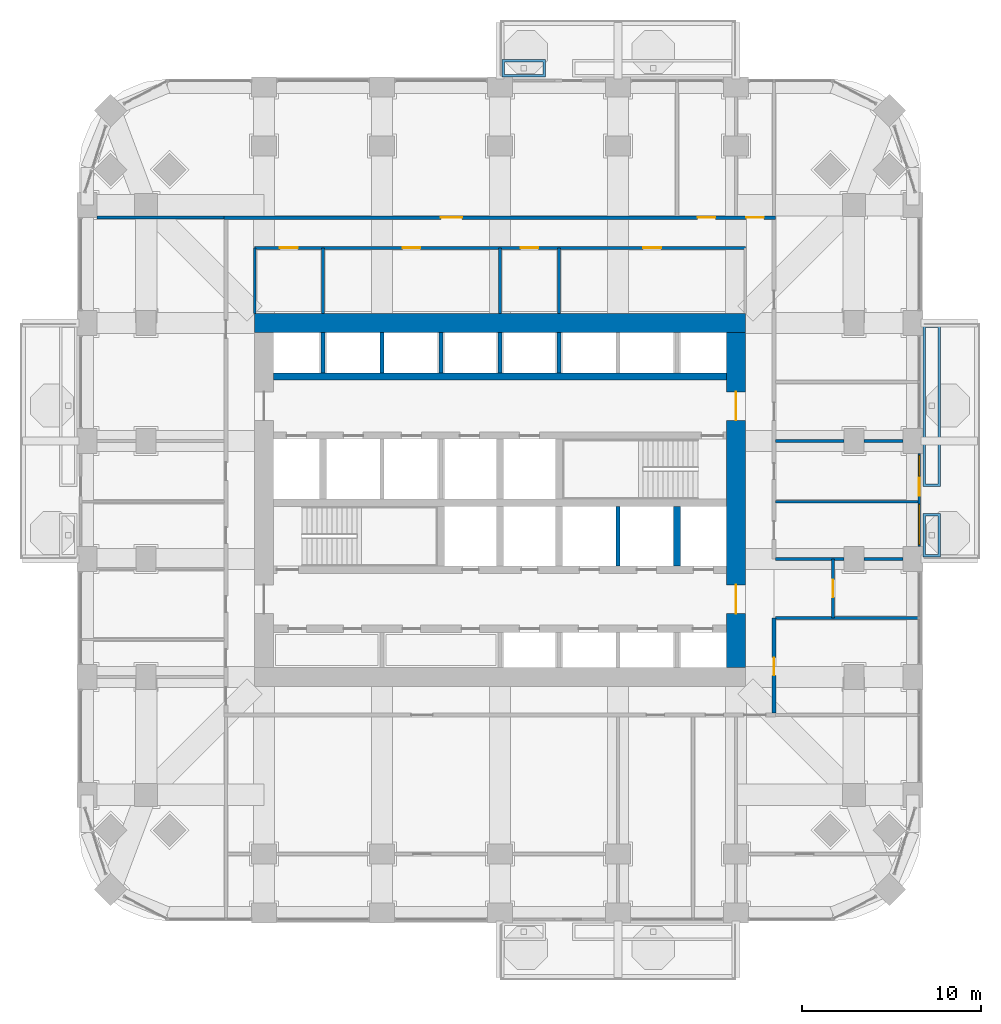
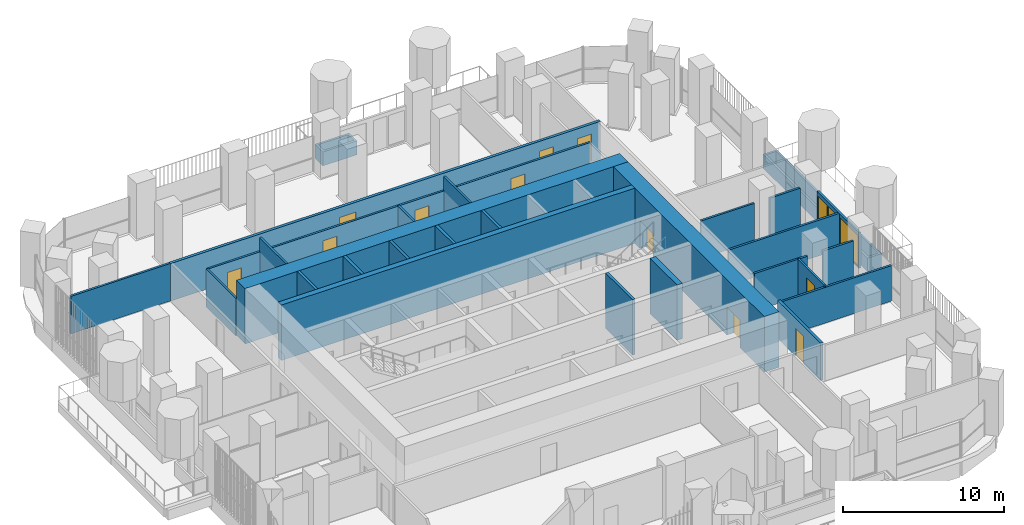
# One storey, part 16 of 22: 29 walls, 12 doors, 2 windows, 14 openings.
"""IFC4 building model written with IfcOpenShell, lengths in metres."""

from ifc_helpers import new_model, si_unit, direction, frame, frame_2d, origin, place, context, subcontext, project, spatial, polyline, rectangle, outline, extrude, material, layer, layer_set, type_object, element, fill, save


model = new_model("IFC4")

# Units and contexts
model_context = context("Model", 3, precision=1e-05, world=origin(), true_north=direction((0.0, 1.0)))
body_context = subcontext(model_context, "Body", "Model", "MODEL_VIEW")
ifc_project = project(units=[si_unit("LENGTHUNIT", "METRE"), si_unit("AREAUNIT", "SQUARE_METRE"), si_unit("VOLUMEUNIT", "CUBIC_METRE"), si_unit("PLANEANGLEUNIT", "RADIAN"), si_unit("MASSUNIT", "GRAM", prefix="KILO")], contexts=[model_context])

# Site, building, storey
site_placement = place(None, origin())
site = spatial("IfcSite", under=ifc_project, at=site_placement, CompositionType="ELEMENT")
building_placement = place(site_placement, origin())
building = spatial("IfcBuilding", under=site, at=building_placement, Name="Cobogo Forest Laboratory Tower", CompositionType="ELEMENT")
storey_placement = place(building_placement, frame((0.0, 0.0, 120.0)))
storey = spatial("IfcBuildingStorey", under=building, at=storey_placement, Name="L27", CompositionType="ELEMENT", Elevation=120.0)

# Walls
ifc_material_1 = material(Name="Concrete HA-50 (C50/60)", Category="concrete")
ifc_layer_1 = layer(ifc_material_1, 0.39990234375)
ifc_layer_set_1 = layer_set([ifc_layer_1], Name="CI400 core inner wall 400")
wall_type_1 = type_object("IfcWallType", Name="CI400 core inner wall 400", PredefinedType="SHEAR", material=ifc_layer_set_1)
wall_1_placement = place(storey_placement, frame((13.72509765625, 30.0, 0.0), z_axis=(0.0, 0.0, 1.0), x_axis=(1.0, 0.0, 0.0)))
element("IfcWall", 1, at=wall_1_placement, inside=storey, type_object=wall_type_1, Name="Core wall CI-30.0 L27", PredefinedType="SHEAR", context=body_context, shape_type="SweptSolid", body=[
    extrude(rectangle(XDim=25.349853515625, YDim=0.39990234375, at=frame_2d((12.6748046875, 0.0))), origin(), (0.0, 0.0, 1.0), 4.199951171875),
])
wall_2_placement = place(storey_placement, frame((36.300048828125, 19.39990234375, 0.0), z_axis=(0.0, 0.0, 1.0), x_axis=(0.0, 1.0, 0.0)))
element("IfcWall", 2, at=wall_2_placement, inside=storey, type_object=wall_type_1, Name="Core wall CX-36.3 L27", PredefinedType="SHEAR", context=body_context, shape_type="SweptSolid", body=[
    extrude(rectangle(XDim=3.35009765625, YDim=0.39990234375, at=frame_2d((1.675048828125, 0.0))), origin(), (0.0, 0.0, 1.0), 4.199951171875),
])

# Wall, openings, doors
ifc_layer_2 = layer(ifc_material_1, 1.050048828125)
ifc_layer_set_2 = layer_set([ifc_layer_2], Name="CW1050 core outer wall 1050")
wall_type_2 = type_object("IfcWallType", Name="CW1050 core outer wall 1050", PredefinedType="SHEAR", material=ifc_layer_set_2)
wall_3_placement = place(storey_placement, frame((39.60009765625, 13.72509765625, 0.0), z_axis=(0.0, 0.0, 1.0), x_axis=(0.0, 1.0, 0.0)))
wall_3 = element("IfcWall", 3, at=wall_3_placement, inside=storey, type_object=wall_type_2, Name="Core wall CO-E L27", PredefinedType="SHEAR", context=body_context, shape_type="SweptSolid", body=[
    extrude(rectangle(XDim=18.75, YDim=1.050048828125, at=frame_2d((9.375, 0.0))), origin(), (0.0, 0.0, 1.0), 4.199951171875),
])
opening_1_placement = place(wall_3_placement, frame((3.02490234375, 0.0, 0.0)))
opening_1 = element("IfcOpeningElement", 4, at=opening_1_placement, cuts=wall_3, Name="Opening L27-D17", PredefinedType="OPENING", context=body_context, shape_type="SweptSolid", body=[
    extrude(rectangle(XDim=1.60009765625, YDim=2.10009765625, at=frame_2d((0.800048828125, 1.050048828125))), frame((0.0, 0.534912109375, 0.0), z_axis=(0.0, -1.0, 0.0), x_axis=(1.0, 0.0, 0.0)), (0.0, 0.0, 1.0), 1.070068359375),
])
opening_2_placement = place(wall_3_placement, frame((13.824951171875, 0.0, 0.0)))
opening_2 = element("IfcOpeningElement", 5, at=opening_2_placement, cuts=wall_3, Name="Opening L27-D31", PredefinedType="OPENING", context=body_context, shape_type="SweptSolid", body=[
    extrude(rectangle(XDim=1.60009765625, YDim=2.10009765625, at=frame_2d((0.800048828125, 1.050048828125))), frame((0.0, 0.534912109375, 0.0), z_axis=(0.0, -1.0, 0.0), x_axis=(1.0, 0.0, 0.0)), (0.0, 0.0, 1.0), 1.070068359375),
])
ifc_material_2 = material(Name="Steel fire door", Category="steel")
door_type_1 = type_object("IfcDoorType", Name="DS2 protected lobby door pair 1600 EI2 60", OperationType="DOUBLE_DOOR_DOUBLE_SWING", PredefinedType="DOOR", material=ifc_material_2)
door_1_placement = place(opening_1_placement, origin())
door_1 = element("IfcDoor", 6, at=door_1_placement, inside=storey, type_object=door_type_1, Name="Door L27-CO-E-S", OperationType="DOUBLE_DOOR_DOUBLE_SWING", OverallHeight=2.10009765625, OverallWidth=1.60009765625, PredefinedType="DOOR", context=body_context, shape_type="SweptSolid", body=[
    extrude(rectangle(XDim=1.60009765625, YDim=2.10009765625, at=frame_2d((0.800048828125, 1.050048828125))), frame((0.0, 0.02490234375, 0.0), z_axis=(0.0, -1.0, 0.0), x_axis=(1.0, 0.0, 0.0)), (0.0, 0.0, 1.0), 0.050048828125),
])
fill(opening_1, door_1)
door_2_placement = place(opening_2_placement, origin())
door_2 = element("IfcDoor", 7, at=door_2_placement, inside=storey, type_object=door_type_1, Name="Door L27-CO-E-N", OperationType="DOUBLE_DOOR_DOUBLE_SWING", OverallHeight=2.10009765625, OverallWidth=1.60009765625, PredefinedType="DOOR", context=body_context, shape_type="SweptSolid", body=[
    extrude(rectangle(XDim=1.60009765625, YDim=2.10009765625, at=frame_2d((0.800048828125, 1.050048828125))), frame((0.0, 0.02490234375, 0.0), z_axis=(0.0, -1.0, 0.0), x_axis=(1.0, 0.0, 0.0)), (0.0, 0.0, 1.0), 0.050048828125),
])
fill(opening_2, door_2)

# Wall
wall_4_placement = place(storey_placement, frame((40.125, 33.0, 0.0), z_axis=(0.0, 0.0, 1.0), x_axis=(-1.0, 0.0, 0.0)))
element("IfcWall", 8, at=wall_4_placement, inside=storey, type_object=wall_type_2, Name="Core wall CO-N L27", PredefinedType="SHEAR", context=body_context, shape_type="SweptSolid", body=[
    extrude(rectangle(XDim=27.449951171875, YDim=1.050048828125, at=frame_2d((13.72509765625, 0.0))), origin(), (0.0, 0.0, 1.0), 4.199951171875),
])

# Wall, openings, door, windows
ifc_material_3 = material(Name="Aluminium framed glazed screen", Category="aluminium")
ifc_layer_3 = layer(ifc_material_3, 0.14990234375)
ifc_layer_set_3 = layer_set([ifc_layer_3], Name="GS1 glazed door screen 150")
wall_type_3 = type_object("IfcWallType", Name="GS1 glazed door screen 150", PredefinedType="SOLIDWALL", material=ifc_layer_set_3)
wall_5_placement = place(storey_placement, frame((49.85009765625, 20.5, 0.0), z_axis=(0.0, 0.0, 1.0), x_axis=(0.0, 1.0, 0.0)))
wall_5 = element("IfcWall", 9, at=wall_5_placement, inside=storey, type_object=wall_type_3, Name="Door screen BAL-E1 L27", PredefinedType="SOLIDWALL", context=body_context, shape_type="SweptSolid", body=[
    extrude(rectangle(XDim=5.199951171875, YDim=0.14990234375, at=frame_2d((2.60009765625, 0.0))), origin(), (0.0, 0.0, 1.0), 2.699951171875),
])
opening_3_placement = place(wall_5_placement, frame((2.85009765625, 0.0, 0.0)))
opening_3 = element("IfcOpeningElement", 10, at=opening_3_placement, cuts=wall_5, Name="Opening L27-D25", PredefinedType="OPENING", context=body_context, shape_type="SweptSolid", body=[
    extrude(rectangle(XDim=1.0, YDim=2.39990234375, at=frame_2d((0.5, 1.199951171875))), frame((0.0, 0.0849609375, 0.0), z_axis=(0.0, -1.0, 0.0), x_axis=(1.0, 0.0, 0.0)), (0.0, 0.0, 1.0), 0.169921875),
])
opening_4_placement = place(wall_5_placement, frame((0.10009765625, 0.0, 0.10009765625)))
opening_4 = element("IfcOpeningElement", 11, at=opening_4_placement, cuts=wall_5, Name="Opening L27-W04", PredefinedType="OPENING", context=body_context, shape_type="SweptSolid", body=[
    extrude(rectangle(XDim=2.25, YDim=2.300048828125, at=frame_2d((1.125, 1.14990234375))), frame((0.0, 0.0849609375, 0.0), z_axis=(0.0, -1.0, 0.0), x_axis=(1.0, 0.0, 0.0)), (0.0, 0.0, 1.0), 0.169921875),
])
opening_5_placement = place(wall_5_placement, frame((3.949951171875, 0.0, 0.10009765625)))
opening_5 = element("IfcOpeningElement", 12, at=opening_5_placement, cuts=wall_5, Name="Opening L27-W06", PredefinedType="OPENING", context=body_context, shape_type="SweptSolid", body=[
    extrude(rectangle(XDim=1.14990234375, YDim=2.300048828125, at=frame_2d((0.574951171875, 1.14990234375))), frame((0.0, 0.0849609375, 0.0), z_axis=(0.0, -1.0, 0.0), x_axis=(1.0, 0.0, 0.0)), (0.0, 0.0, 1.0), 0.169921875),
])
ifc_material_4 = material(Name="Aluminium glazed door", Category="aluminium")
door_type_2 = type_object("IfcDoorType", Name="DB1 balcony door 1000 glazed", OperationType="SINGLE_SWING_LEFT", PredefinedType="DOOR", material=ifc_material_4)
door_3_placement = place(opening_3_placement, origin())
door_3 = element("IfcDoor", 13, at=door_3_placement, inside=storey, type_object=door_type_2, Name="Door L27-BAL-E1", OperationType="SINGLE_SWING_RIGHT", OverallHeight=2.39990234375, OverallWidth=1.0, PredefinedType="DOOR", context=body_context, shape_type="SweptSolid", body=[
    extrude(rectangle(XDim=1.0, YDim=2.39990234375, at=frame_2d((0.5, 1.199951171875))), frame((0.0, 0.02490234375, 0.0), z_axis=(0.0, -1.0, 0.0), x_axis=(1.0, 0.0, 0.0)), (0.0, 0.0, 1.0), 0.050048828125),
])
fill(opening_3, door_3)
ifc_material_5 = material(Name="Aluminium framed glazing", Category="aluminium")
window_type_1 = type_object("IfcWindowType", Name="WG15 fixed glazed light 2250x2300", PartitioningType="SINGLE_PANEL", PredefinedType="WINDOW", material=ifc_material_5)
window_1_placement = place(opening_4_placement, origin())
window_1 = element("IfcWindow", 14, at=window_1_placement, inside=storey, type_object=window_type_1, Name="Window L27-BAL-E1-1", OverallHeight=2.300048828125, OverallWidth=2.25, PartitioningType="SINGLE_PANEL", PredefinedType="WINDOW", context=body_context, shape_type="SweptSolid", body=[
    extrude(rectangle(XDim=2.25, YDim=2.300048828125, at=frame_2d((1.125, 1.14990234375))), frame((0.0, 0.030029296875, 0.0), z_axis=(0.0, -1.0, 0.0), x_axis=(1.0, 0.0, 0.0)), (0.0, 0.0, 1.0), 0.06005859375),
])
fill(opening_4, window_1)
window_type_2 = type_object("IfcWindowType", Name="WG16 fixed glazed light 1150x2300", PartitioningType="SINGLE_PANEL", PredefinedType="WINDOW", material=ifc_material_5)
window_2_placement = place(opening_5_placement, origin())
window_2 = element("IfcWindow", 15, at=window_2_placement, inside=storey, type_object=window_type_2, Name="Window L27-BAL-E1-2", OverallHeight=2.300048828125, OverallWidth=1.14990234375, PartitioningType="SINGLE_PANEL", PredefinedType="WINDOW", context=body_context, shape_type="SweptSolid", body=[
    extrude(rectangle(XDim=1.14990234375, YDim=2.300048828125, at=frame_2d((0.574951171875, 1.14990234375))), frame((0.0, 0.030029296875, 0.0), z_axis=(0.0, -1.0, 0.0), x_axis=(1.0, 0.0, 0.0)), (0.0, 0.0, 1.0), 0.06005859375),
])
fill(opening_5, window_2)

# Wall, openings, doors
ifc_material_6 = material(Name="Gypsum board on steel studs", Category="steel")
ifc_layer_4 = layer(ifc_material_6, 0.14990234375)
ifc_layer_set_4 = layer_set([ifc_layer_4], Name="PT1 laboratory partition 150")
wall_type_4 = type_object("IfcWallType", Name="PT1 laboratory partition 150", PredefinedType="PARTITIONING", material=ifc_layer_set_4)
wall_6_placement = place(storey_placement, frame((12.675048828125, 37.199951171875, 0.0), z_axis=(0.0, 0.0, 1.0), x_axis=(1.0, 0.0, 0.0)))
wall_6 = element("IfcWall", 16, at=wall_6_placement, inside=storey, type_object=wall_type_4, Name="Partition CSTRIP-N L27", PredefinedType="PARTITIONING", context=body_context, shape_type="SweptSolid", body=[
    extrude(rectangle(XDim=27.449951171875, YDim=0.14990234375, at=frame_2d((13.72509765625, 0.0))), origin(), (0.0, 0.0, 1.0), 2.85009765625),
])
opening_6_placement = place(wall_6_placement, frame((1.41259765625, 0.0, 0.0)))
opening_6 = element("IfcOpeningElement", 17, at=opening_6_placement, cuts=wall_6, Name="Opening L27-D34", PredefinedType="OPENING", context=body_context, shape_type="SweptSolid", body=[
    extrude(rectangle(XDim=1.0, YDim=2.10009765625, at=frame_2d((0.5, 1.050048828125))), frame((0.0, 0.0849609375, 0.0), z_axis=(0.0, -1.0, 0.0), x_axis=(1.0, 0.0, 0.0)), (0.0, 0.0, 1.0), 0.169921875),
])
opening_7_placement = place(wall_6_placement, frame((8.27490234375, 0.0, 0.0)))
opening_7 = element("IfcOpeningElement", 18, at=opening_7_placement, cuts=wall_6, Name="Opening L27-D35", PredefinedType="OPENING", context=body_context, shape_type="SweptSolid", body=[
    extrude(rectangle(XDim=1.0, YDim=2.10009765625, at=frame_2d((0.5, 1.050048828125))), frame((0.0, 0.0849609375, 0.0), z_axis=(0.0, -1.0, 0.0), x_axis=(1.0, 0.0, 0.0)), (0.0, 0.0, 1.0), 0.169921875),
])
opening_8_placement = place(wall_6_placement, frame((14.875, 0.0, 0.0)))
opening_8 = element("IfcOpeningElement", 19, at=opening_8_placement, cuts=wall_6, Name="Opening L27-D36", PredefinedType="OPENING", context=body_context, shape_type="SweptSolid", body=[
    extrude(rectangle(XDim=1.0, YDim=2.10009765625, at=frame_2d((0.5, 1.050048828125))), frame((0.0, 0.0849609375, 0.0), z_axis=(0.0, -1.0, 0.0), x_axis=(1.0, 0.0, 0.0)), (0.0, 0.0, 1.0), 0.169921875),
])
opening_9_placement = place(wall_6_placement, frame((21.737548828125, 0.0, 0.0)))
opening_9 = element("IfcOpeningElement", 20, at=opening_9_placement, cuts=wall_6, Name="Opening L27-D37", PredefinedType="OPENING", context=body_context, shape_type="SweptSolid", body=[
    extrude(rectangle(XDim=1.0, YDim=2.10009765625, at=frame_2d((0.5, 1.050048828125))), frame((0.0, 0.0849609375, 0.0), z_axis=(0.0, -1.0, 0.0), x_axis=(1.0, 0.0, 0.0)), (0.0, 0.0, 1.0), 0.169921875),
])
ifc_material_7 = material(Name="Timber fire door", Category="wood")
door_type_3 = type_object("IfcDoorType", Name="FD2 fire door 1000 EI2 30", OperationType="SINGLE_SWING_LEFT", PredefinedType="DOOR", material=ifc_material_7)
door_4_placement = place(opening_6_placement, origin())
door_4 = element("IfcDoor", 21, at=door_4_placement, inside=storey, type_object=door_type_3, Name="Door L27-CSN1", OperationType="SINGLE_SWING_LEFT", OverallHeight=2.10009765625, OverallWidth=1.0, PredefinedType="DOOR", context=body_context, shape_type="SweptSolid", body=[
    extrude(rectangle(XDim=1.0, YDim=2.10009765625, at=frame_2d((0.5, 1.050048828125))), frame((0.0, 0.02490234375, 0.0), z_axis=(0.0, -1.0, 0.0), x_axis=(1.0, 0.0, 0.0)), (0.0, 0.0, 1.0), 0.050048828125),
])
fill(opening_6, door_4)
door_5_placement = place(opening_7_placement, origin())
door_5 = element("IfcDoor", 22, at=door_5_placement, inside=storey, type_object=door_type_3, Name="Door L27-CSN2", OperationType="SINGLE_SWING_LEFT", OverallHeight=2.10009765625, OverallWidth=1.0, PredefinedType="DOOR", context=body_context, shape_type="SweptSolid", body=[
    extrude(rectangle(XDim=1.0, YDim=2.10009765625, at=frame_2d((0.5, 1.050048828125))), frame((0.0, 0.02490234375, 0.0), z_axis=(0.0, -1.0, 0.0), x_axis=(1.0, 0.0, 0.0)), (0.0, 0.0, 1.0), 0.050048828125),
])
fill(opening_7, door_5)
door_6_placement = place(opening_8_placement, origin())
door_6 = element("IfcDoor", 23, at=door_6_placement, inside=storey, type_object=door_type_3, Name="Door L27-CSN3", OperationType="SINGLE_SWING_RIGHT", OverallHeight=2.10009765625, OverallWidth=1.0, PredefinedType="DOOR", context=body_context, shape_type="SweptSolid", body=[
    extrude(rectangle(XDim=1.0, YDim=2.10009765625, at=frame_2d((0.5, 1.050048828125))), frame((0.0, 0.02490234375, 0.0), z_axis=(0.0, -1.0, 0.0), x_axis=(1.0, 0.0, 0.0)), (0.0, 0.0, 1.0), 0.050048828125),
])
fill(opening_8, door_6)
door_7_placement = place(opening_9_placement, origin())
door_7 = element("IfcDoor", 24, at=door_7_placement, inside=storey, type_object=door_type_3, Name="Door L27-CSN4", OperationType="SINGLE_SWING_RIGHT", OverallHeight=2.10009765625, OverallWidth=1.0, PredefinedType="DOOR", context=body_context, shape_type="SweptSolid", body=[
    extrude(rectangle(XDim=1.0, YDim=2.10009765625, at=frame_2d((0.5, 1.050048828125))), frame((0.0, 0.02490234375, 0.0), z_axis=(0.0, -1.0, 0.0), x_axis=(1.0, 0.0, 0.0)), (0.0, 0.0, 1.0), 0.050048828125),
])
fill(opening_9, door_7)

# Walls
wall_7_placement = place(storey_placement, frame((12.675048828125, 33.52490234375, 0.0), z_axis=(0.0, 0.0, 1.0), x_axis=(0.0, 1.0, 0.0)))
element("IfcWall", 25, at=wall_7_placement, inside=storey, type_object=wall_type_4, Name="Partition CSTRIP-NW L27", PredefinedType="PARTITIONING", context=body_context, shape_type="SweptSolid", body=[
    extrude(rectangle(XDim=3.675048828125, YDim=0.14990234375, at=frame_2d((1.83740234375, 0.0))), origin(), (0.0, 0.0, 1.0), 2.85009765625),
])
wall_8_placement = place(storey_placement, frame((16.5, 33.52490234375, 0.0), z_axis=(0.0, 0.0, 1.0), x_axis=(0.0, 1.0, 0.0)))
element("IfcWall", 26, at=wall_8_placement, inside=storey, type_object=wall_type_4, Name="Partition CSTRIP-N16.5 L27", PredefinedType="PARTITIONING", context=body_context, shape_type="SweptSolid", body=[
    extrude(rectangle(XDim=3.675048828125, YDim=0.14990234375, at=frame_2d((1.83740234375, 0.0))), origin(), (0.0, 0.0, 1.0), 3.89990234375),
])
wall_9_placement = place(storey_placement, frame((26.39990234375, 33.52490234375, 0.0), z_axis=(0.0, 0.0, 1.0), x_axis=(0.0, 1.0, 0.0)))
element("IfcWall", 27, at=wall_9_placement, inside=storey, type_object=wall_type_4, Name="Partition CSTRIP-N26.4 L27", PredefinedType="PARTITIONING", context=body_context, shape_type="SweptSolid", body=[
    extrude(rectangle(XDim=3.675048828125, YDim=0.14990234375, at=frame_2d((1.83740234375, 0.0))), origin(), (0.0, 0.0, 1.0), 2.85009765625),
])
wall_10_placement = place(storey_placement, frame((29.699951171875, 33.52490234375, 0.0), z_axis=(0.0, 0.0, 1.0), x_axis=(0.0, 1.0, 0.0)))
element("IfcWall", 28, at=wall_10_placement, inside=storey, type_object=wall_type_4, Name="Partition CSTRIP-N29.7 L27", PredefinedType="PARTITIONING", context=body_context, shape_type="SweptSolid", body=[
    extrude(rectangle(XDim=3.675048828125, YDim=0.14990234375, at=frame_2d((1.83740234375, 0.0))), origin(), (0.0, 0.0, 1.0), 3.89990234375),
])
wall_11_placement = place(storey_placement, frame((3.85009765625, 38.89990234375, 0.0), z_axis=(0.0, 0.0, 1.0), x_axis=(1.0, 0.0, 0.0)))
element("IfcWall", 29, at=wall_11_placement, inside=storey, type_object=wall_type_4, Name="Partition PW-NW L27", PredefinedType="PARTITIONING", context=body_context, shape_type="SweptSolid", body=[
    extrude(rectangle(XDim=7.125, YDim=0.14990234375, at=frame_2d((3.5625, 0.0))), origin(), (0.0, 0.0, 1.0), 2.85009765625),
])

# Wall, opening, door
wall_12_placement = place(storey_placement, frame((45.02490234375, 16.5, 0.0), z_axis=(0.0, 0.0, 1.0), x_axis=(0.0, 1.0, 0.0)))
wall_12 = element("IfcWall", 30, at=wall_12_placement, inside=storey, type_object=wall_type_4, Name="Partition NODE-E-1 L27", PredefinedType="PARTITIONING", context=body_context, shape_type="SweptSolid", body=[
    extrude(rectangle(XDim=3.300048828125, YDim=0.14990234375, at=frame_2d((1.64990234375, 0.0))), origin(), (0.0, 0.0, 1.0), 2.85009765625),
])
opening_10_placement = place(wall_12_placement, frame((1.14990234375, 0.0, 0.0)))
opening_10 = element("IfcOpeningElement", 31, at=opening_10_placement, cuts=wall_12, Name="Opening L27-D18", PredefinedType="OPENING", context=body_context, shape_type="SweptSolid", body=[
    extrude(rectangle(XDim=1.0, YDim=2.10009765625, at=frame_2d((0.5, 1.050048828125))), frame((0.0, 0.0849609375, 0.0), z_axis=(0.0, -1.0, 0.0), x_axis=(1.0, 0.0, 0.0)), (0.0, 0.0, 1.0), 0.169921875),
])
door_8_placement = place(opening_10_placement, origin())
door_8 = element("IfcDoor", 32, at=door_8_placement, inside=storey, type_object=door_type_3, Name="Door L27-E2", OperationType="SINGLE_SWING_LEFT", OverallHeight=2.10009765625, OverallWidth=1.0, PredefinedType="DOOR", context=body_context, shape_type="SweptSolid", body=[
    extrude(rectangle(XDim=1.0, YDim=2.10009765625, at=frame_2d((0.5, 1.050048828125))), frame((0.0, 0.02490234375, 0.0), z_axis=(0.0, -1.0, 0.0), x_axis=(1.0, 0.0, 0.0)), (0.0, 0.0, 1.0), 0.050048828125),
])
fill(opening_10, door_8)

# Walls
wall_13_placement = place(storey_placement, frame((49.77001953125, 23.0, 0.0), z_axis=(0.0, 0.0, 1.0), x_axis=(-1.0, 0.0, 0.0)))
element("IfcWall", 33, at=wall_13_placement, inside=storey, type_object=wall_type_4, Name="Partition SVC-E1-1 L27", PredefinedType="PARTITIONING", context=body_context, shape_type="SweptSolid", body=[
    extrude(rectangle(XDim=7.945068359375, YDim=0.14990234375, at=frame_2d((3.97265625, 0.0))), origin(), (0.0, 0.0, 1.0), 2.699951171875),
])
wall_14_placement = place(storey_placement, frame((48.949951171875, 26.39990234375, 0.0), z_axis=(0.0, 0.0, 1.0), x_axis=(-1.0, 0.0, 0.0)))
element("IfcWall", 34, at=wall_14_placement, inside=storey, type_object=wall_type_4, Name="Partition SVC-E2-1 L27", PredefinedType="PARTITIONING", context=body_context, shape_type="SweptSolid", body=[
    extrude(rectangle(XDim=2.199951171875, YDim=0.14990234375, at=frame_2d((1.10009765625, 0.0))), origin(), (0.0, 0.0, 1.0), 2.85009765625),
])
wall_15_placement = place(storey_placement, frame((45.64990234375, 26.39990234375, 0.0), z_axis=(0.0, 0.0, 1.0), x_axis=(-1.0, 0.0, 0.0)))
element("IfcWall", 35, at=wall_15_placement, inside=storey, type_object=wall_type_4, Name="Partition SVC-E2-2 L27", PredefinedType="PARTITIONING", context=body_context, shape_type="SweptSolid", body=[
    extrude(rectangle(XDim=3.824951171875, YDim=0.14990234375, at=frame_2d((1.91259765625, 0.0))), origin(), (0.0, 0.0, 1.0), 2.85009765625),
])
wall_16_placement = place(storey_placement, frame((49.77001953125, 16.5, 0.0), z_axis=(0.0, 0.0, 1.0), x_axis=(-1.0, 0.0, 0.0)))
element("IfcWall", 36, at=wall_16_placement, inside=storey, type_object=wall_type_4, Name="Partition CUT-E16.5-1 L27", PredefinedType="PARTITIONING", context=body_context, shape_type="SweptSolid", body=[
    extrude(rectangle(XDim=7.945068359375, YDim=0.14990234375, at=frame_2d((3.97265625, 0.0))), origin(), (0.0, 0.0, 1.0), 2.699951171875),
])
wall_17_placement = place(storey_placement, frame((48.949951171875, 19.800048828125, 0.0), z_axis=(0.0, 0.0, 1.0), x_axis=(-1.0, 0.0, 0.0)))
element("IfcWall", 37, at=wall_17_placement, inside=storey, type_object=wall_type_4, Name="Partition CUT-E19.8-1 L27", PredefinedType="PARTITIONING", context=body_context, shape_type="SweptSolid", body=[
    extrude(rectangle(XDim=2.199951171875, YDim=0.14990234375, at=frame_2d((1.10009765625, 0.0))), origin(), (0.0, 0.0, 1.0), 2.85009765625),
])
wall_18_placement = place(storey_placement, frame((45.64990234375, 19.800048828125, 0.0), z_axis=(0.0, 0.0, 1.0), x_axis=(-1.0, 0.0, 0.0)))
element("IfcWall", 38, at=wall_18_placement, inside=storey, type_object=wall_type_4, Name="Partition CUT-E19.8-2 L27", PredefinedType="PARTITIONING", context=body_context, shape_type="SweptSolid", body=[
    extrude(rectangle(XDim=3.824951171875, YDim=0.14990234375, at=frame_2d((1.91259765625, 0.0))), origin(), (0.0, 0.0, 1.0), 2.85009765625),
])

# Wall, openings, doors
ifc_layer_5 = layer(ifc_material_6, 0.199951171875)
ifc_layer_set_5 = layer_set([ifc_layer_5], Name="PT2 fire-rated corridor partition 200")
wall_type_5 = type_object("IfcWallType", Name="PT2 fire-rated corridor partition 200", PredefinedType="PARTITIONING", material=ifc_layer_set_5)
wall_19_placement = place(storey_placement, frame((10.97509765625, 38.89990234375, 0.0), z_axis=(0.0, 0.0, 1.0), x_axis=(1.0, 0.0, 0.0)))
wall_19 = element("IfcWall", 39, at=wall_19_placement, inside=storey, type_object=wall_type_5, Name="Partition CORR-N L27", PredefinedType="PARTITIONING", context=body_context, shape_type="SweptSolid", body=[
    extrude(rectangle(XDim=30.849853515625, YDim=0.199951171875, at=frame_2d((15.4248046875, 0.0))), origin(), (0.0, 0.0, 1.0), 2.85009765625),
])
opening_11_placement = place(wall_19_placement, frame((12.112548828125, 0.0, 0.0)))
opening_11 = element("IfcOpeningElement", 40, at=opening_11_placement, cuts=wall_19, Name="Opening L27-D38", PredefinedType="OPENING", context=body_context, shape_type="SweptSolid", body=[
    extrude(rectangle(XDim=1.199951171875, YDim=2.10009765625, at=frame_2d((0.60009765625, 1.050048828125))), frame((0.0, 0.10986328125, 0.0), z_axis=(0.0, -1.0, 0.0), x_axis=(1.0, 0.0, 0.0)), (0.0, 0.0, 1.0), 0.219970703125),
])
opening_12_placement = place(wall_19_placement, frame((26.47509765625, 0.0, 0.0)))
opening_12 = element("IfcOpeningElement", 41, at=opening_12_placement, cuts=wall_19, Name="Opening L27-D39", PredefinedType="OPENING", context=body_context, shape_type="SweptSolid", body=[
    extrude(rectangle(XDim=1.0, YDim=2.10009765625, at=frame_2d((0.5, 1.050048828125))), frame((0.0, 0.10986328125, 0.0), z_axis=(0.0, -1.0, 0.0), x_axis=(1.0, 0.0, 0.0)), (0.0, 0.0, 1.0), 0.219970703125),
])
opening_13_placement = place(wall_19_placement, frame((29.1875, 0.0, 0.0)))
opening_13 = element("IfcOpeningElement", 42, at=opening_13_placement, cuts=wall_19, Name="Opening L27-D40", PredefinedType="OPENING", context=body_context, shape_type="SweptSolid", body=[
    extrude(rectangle(XDim=1.0, YDim=2.10009765625, at=frame_2d((0.5, 1.050048828125))), frame((0.0, 0.10986328125, 0.0), z_axis=(0.0, -1.0, 0.0), x_axis=(1.0, 0.0, 0.0)), (0.0, 0.0, 1.0), 0.219970703125),
])
ifc_material_8 = material(Name="Timber door", Category="wood")
door_type_4 = type_object("IfcDoorType", Name="D2 laboratory door 1200 unequal pair", OperationType="DOUBLE_DOOR_SINGLE_SWING", PredefinedType="DOOR", material=ifc_material_8)
door_9_placement = place(opening_11_placement, origin())
door_9 = element("IfcDoor", 43, at=door_9_placement, inside=storey, type_object=door_type_4, Name="Door L27-N1", OperationType="DOUBLE_DOOR_SINGLE_SWING", OverallHeight=2.10009765625, OverallWidth=1.199951171875, PredefinedType="DOOR", context=body_context, shape_type="SweptSolid", body=[
    extrude(rectangle(XDim=1.199951171875, YDim=2.10009765625, at=frame_2d((0.60009765625, 1.050048828125))), frame((0.0, 0.02490234375, 0.0), z_axis=(0.0, -1.0, 0.0), x_axis=(1.0, 0.0, 0.0)), (0.0, 0.0, 1.0), 0.050048828125),
])
fill(opening_11, door_9)
door_10_placement = place(opening_12_placement, origin())
door_10 = element("IfcDoor", 44, at=door_10_placement, inside=storey, type_object=door_type_3, Name="Door L27-N2", OperationType="SINGLE_SWING_RIGHT", OverallHeight=2.10009765625, OverallWidth=1.0, PredefinedType="DOOR", context=body_context, shape_type="SweptSolid", body=[
    extrude(rectangle(XDim=1.0, YDim=2.10009765625, at=frame_2d((0.5, 1.050048828125))), frame((0.0, 0.02490234375, 0.0), z_axis=(0.0, -1.0, 0.0), x_axis=(1.0, 0.0, 0.0)), (0.0, 0.0, 1.0), 0.050048828125),
])
fill(opening_12, door_10)
door_11_placement = place(opening_13_placement, origin())
door_11 = element("IfcDoor", 45, at=door_11_placement, inside=storey, type_object=door_type_3, Name="Door L27-N3", OperationType="SINGLE_SWING_RIGHT", OverallHeight=2.10009765625, OverallWidth=1.0, PredefinedType="DOOR", context=body_context, shape_type="SweptSolid", body=[
    extrude(rectangle(XDim=1.0, YDim=2.10009765625, at=frame_2d((0.5, 1.050048828125))), frame((0.0, 0.02490234375, 0.0), z_axis=(0.0, -1.0, 0.0), x_axis=(1.0, 0.0, 0.0)), (0.0, 0.0, 1.0), 0.050048828125),
])
fill(opening_13, door_11)

# Wall, opening, door
wall_20_placement = place(storey_placement, frame((41.72509765625, 11.175048828125, 0.0), z_axis=(0.0, 0.0, 1.0), x_axis=(0.0, 1.0, 0.0)))
wall_20 = element("IfcWall", 46, at=wall_20_placement, inside=storey, type_object=wall_type_5, Name="Partition CORR-E-1 L27", PredefinedType="PARTITIONING", context=body_context, shape_type="SweptSolid", body=[
    extrude(rectangle(XDim=5.324951171875, YDim=0.199951171875, at=frame_2d((2.66259765625, 0.0))), origin(), (0.0, 0.0, 1.0), 2.85009765625),
])
opening_14_placement = place(wall_20_placement, frame((2.112548828125, 0.0, 0.0)))
opening_14 = element("IfcOpeningElement", 47, at=opening_14_placement, cuts=wall_20, Name="Opening L27-D09", PredefinedType="OPENING", context=body_context, shape_type="SweptSolid", body=[
    extrude(rectangle(XDim=1.0, YDim=2.10009765625, at=frame_2d((0.5, 1.050048828125))), frame((0.0, 0.10986328125, 0.0), z_axis=(0.0, -1.0, 0.0), x_axis=(1.0, 0.0, 0.0)), (0.0, 0.0, 1.0), 0.219970703125),
])
door_12_placement = place(opening_14_placement, origin())
door_12 = element("IfcDoor", 48, at=door_12_placement, inside=storey, type_object=door_type_3, Name="Door L27-E1", OperationType="SINGLE_SWING_LEFT", OverallHeight=2.10009765625, OverallWidth=1.0, PredefinedType="DOOR", context=body_context, shape_type="SweptSolid", body=[
    extrude(rectangle(XDim=1.0, YDim=2.10009765625, at=frame_2d((0.5, 1.050048828125))), frame((0.0, 0.02490234375, 0.0), z_axis=(0.0, -1.0, 0.0), x_axis=(1.0, 0.0, 0.0)), (0.0, 0.0, 1.0), 0.050048828125),
])
fill(opening_14, door_12)

# Walls
ifc_material_9 = material(Name="Concrete HA-40 (C40/50)", Category="concrete")
ifc_layer_6 = layer(ifc_material_9, 0.14990234375)
ifc_layer_set_6 = layer_set([ifc_layer_6], Name="Planter box 1000x1050")
wall_type_6 = type_object("IfcWallType", Name="Planter box 1000x1050", PredefinedType="USERDEFINED", material=ifc_layer_set_6)
wall_21_placement = place(storey_placement, origin())
element("IfcWall", 49, at=wall_21_placement, inside=storey, type_object=wall_type_6, Name="Planter BAL-E1-1 L27", ObjectType="PLANTER", PredefinedType="USERDEFINED", context=body_context, shape_type="SweptSolid", body=[
    extrude(outline(polyline([(50.050048828125, 19.89990234375), (51.050048828125, 19.89990234375), (51.050048828125, 22.35009765625), (50.050048828125, 22.35009765625), (50.050048828125, 19.89990234375)]), holes=[polyline([(50.199951171875, 20.050048828125), (50.89990234375, 20.050048828125), (50.89990234375, 22.199951171875), (50.199951171875, 22.199951171875), (50.199951171875, 20.050048828125)])]), origin(), (0.0, 0.0, 1.0), 1.050048828125),
])
wall_22_placement = place(storey_placement, origin())
element("IfcWall", 50, at=wall_22_placement, inside=storey, type_object=wall_type_6, Name="Planter BAL-E1-2 L27", ObjectType="PLANTER", PredefinedType="USERDEFINED", context=body_context, shape_type="SweptSolid", body=[
    extrude(outline(polyline([(50.050048828125, 23.85009765625), (51.050048828125, 23.85009765625), (51.050048828125, 32.89990234375), (50.050048828125, 32.89990234375), (50.050048828125, 23.85009765625)]), holes=[polyline([(50.199951171875, 24.0), (50.89990234375, 24.0), (50.89990234375, 32.75), (50.199951171875, 32.75), (50.199951171875, 24.0)])]), origin(), (0.0, 0.0, 1.0), 1.050048828125),
])
wall_23_placement = place(storey_placement, origin())
element("IfcWall", 51, at=wall_23_placement, inside=storey, type_object=wall_type_6, Name="Planter BAL-N1-1 L27", ObjectType="PLANTER", PredefinedType="USERDEFINED", context=body_context, shape_type="SweptSolid", body=[
    extrude(outline(polyline([(26.5, 46.75), (28.949951171875, 46.75), (28.949951171875, 47.75), (26.5, 47.75), (26.5, 46.75)]), holes=[polyline([(26.64990234375, 46.89990234375), (28.800048828125, 46.89990234375), (28.800048828125, 47.60009765625), (26.64990234375, 47.60009765625), (26.64990234375, 46.89990234375)])]), origin(), (0.0, 0.0, 1.0), 1.050048828125),
])
ifc_material_10 = material(Name="Concrete block", Category="concrete")
ifc_layer_7 = layer(ifc_material_10, 0.199951171875)
ifc_layer_set_7 = layer_set([ifc_layer_7], Name="SW200 lift shaft separator 200")
wall_type_7 = type_object("IfcWallType", Name="SW200 lift shaft separator 200", PredefinedType="PARTITIONING", material=ifc_layer_set_7)
for number, where, z_axis, x_axis, name in (
    (52, (16.5, 30.199951171875, 0.0), (0.0, 0.0, 1.0), (0.0, 1.0, 0.0), "Core wall SEP-N1 L27"),
    (53, (19.800048828125, 30.199951171875, 0.0), (0.0, 0.0, 1.0), (0.0, 1.0, 0.0), "Core wall SEP-N2 L27"),
    (54, (23.10009765625, 30.199951171875, 0.0), (0.0, 0.0, 1.0), (0.0, 1.0, 0.0), "Core wall SEP-N3 L27"),
    (55, (26.39990234375, 30.199951171875, 0.0), (0.0, 0.0, 1.0), (0.0, 1.0, 0.0), "Core wall SEP-N4 L27"),
    (56, (29.699951171875, 30.199951171875, 0.0), (0.0, 0.0, 1.0), (0.0, 1.0, 0.0), "Core wall SEP-N5 L27"),
):
    element("IfcWall", number, at=place(storey_placement, frame(where, z_axis=z_axis, x_axis=x_axis)), inside=storey, type_object=wall_type_7, Name=name, PredefinedType="PARTITIONING", context=body_context, shape_type="SweptSolid", body=[
        extrude(rectangle(XDim=2.275146484375, YDim=0.199951171875, at=frame_2d((1.1376953125, 0.0))), origin(), (0.0, 0.0, 1.0), 4.199951171875),
    ])
wall_24_placement = place(storey_placement, frame((33.0, 19.39990234375, 0.0), z_axis=(0.0, 0.0, 1.0), x_axis=(0.0, 1.0, 0.0)))
element("IfcWall", 57, at=wall_24_placement, inside=storey, type_object=wall_type_7, Name="Core wall SEP-M33.0 L27", PredefinedType="PARTITIONING", context=body_context, shape_type="SweptSolid", body=[
    extrude(rectangle(XDim=3.35009765625, YDim=0.199951171875, at=frame_2d((1.675048828125, 0.0))), origin(), (0.0, 0.0, 1.0), 4.199951171875),
])

save(model, "model.ifc")
